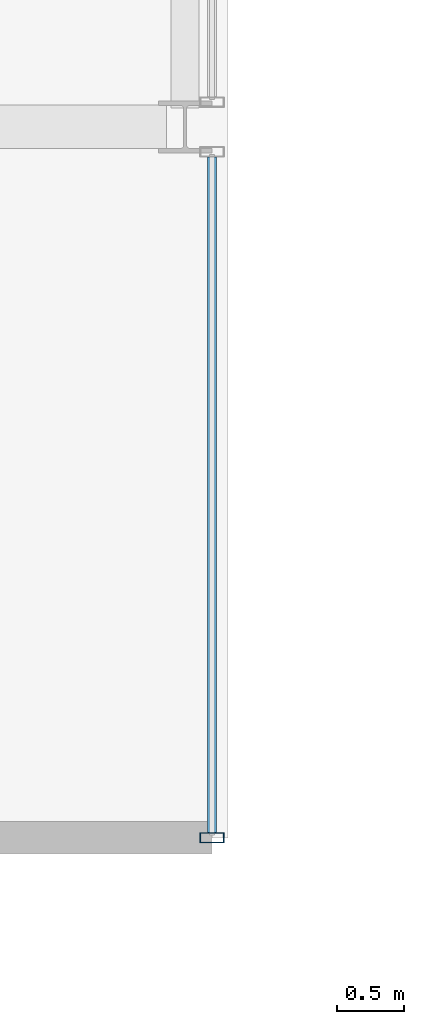
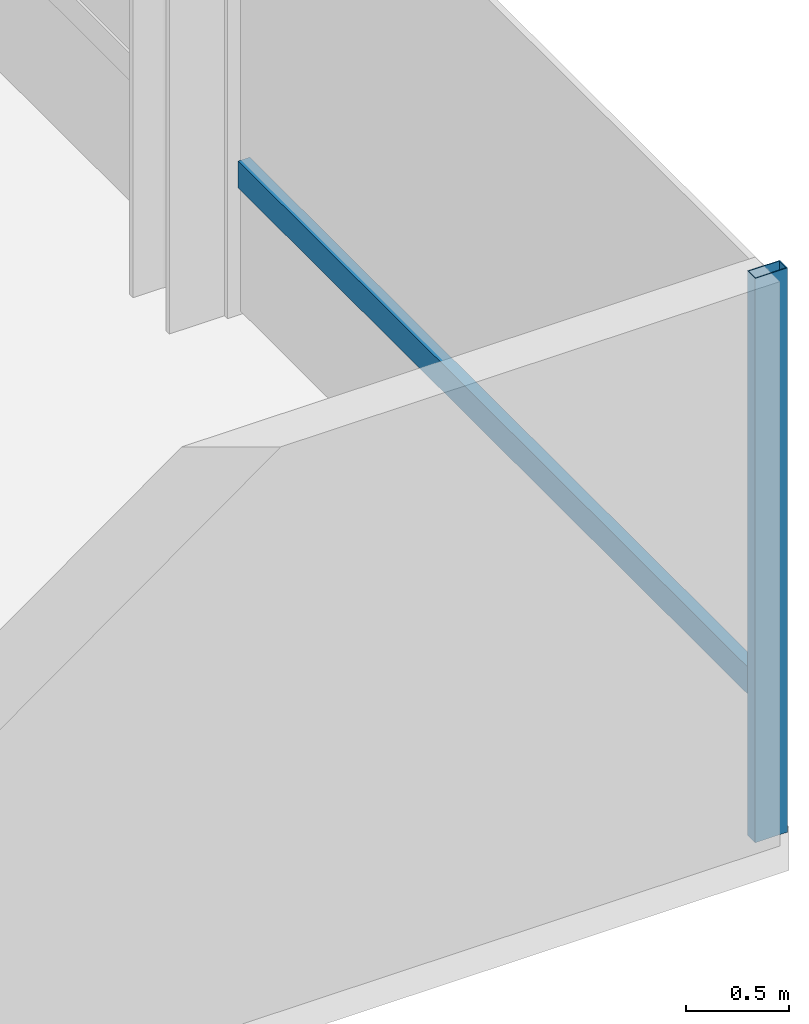
# One storey, part 11 of 32: 2 members, 1 element without a shape of its own.
"""IFC4 building model written with IfcOpenShell, lengths in metres."""

from ifc_helpers import new_model, si_unit, direction, frame, origin, origin_2d, place, context, subcontext, project, spatial, hollow_rectangle, extrude, material, layer, layer_set, material_profile, profile_set, type_object, element, aggregate, save


model = new_model("IFC4")

# Units and contexts
model_context = context("Model", 3, precision=1e-05, world=origin(), true_north=direction((0.0, 1.0)))
body_context = subcontext(model_context, "Body", "Model", "MODEL_VIEW")
ifc_project = project(units=[si_unit("LENGTHUNIT", "METRE"), si_unit("AREAUNIT", "SQUARE_METRE"), si_unit("VOLUMEUNIT", "CUBIC_METRE"), si_unit("PLANEANGLEUNIT", "RADIAN"), si_unit("MASSUNIT", "GRAM", prefix="KILO")], contexts=[model_context])

# Site, building, storey
site_placement = place(None, origin())
site = spatial("IfcSite", under=ifc_project, at=site_placement, CompositionType="ELEMENT")
building_placement = place(site_placement, origin())
building = spatial("IfcBuilding", under=site, at=building_placement, Name="Drelvath Grand Hotel", CompositionType="ELEMENT")
storey_placement = place(building_placement, frame((0.0, 0.0, 205.10009765625)))
storey = spatial("IfcBuildingStorey", under=building, at=storey_placement, Name="L53", CompositionType="ELEMENT", Elevation=205.10009765625)

# Curtain wall, members
ifc_material = material(Name="Platinum-Mist Anodised Aluminium Frame", Category="aluminium")
ifc_layer = layer(ifc_material, 0.199951171875)
ifc_layer_set = layer_set([ifc_layer], Name="Platinum-Mist Anodised Aluminium Frame")
curtain_wall_type = type_object("IfcCurtainWallType", Name="Stick Curtain Wall CW-05 Platinum Mist High-Rise", PredefinedType="NOTDEFINED", material=ifc_layer_set)
curtain_wall_placement = place(storey_placement, origin())
curtain_wall = element("IfcCurtainWall", 1, at=curtain_wall_placement, inside=storey, type_object=curtain_wall_type, Name="L53 CW-05 Curtain Wall CW05-L53-ES1", PredefinedType="NOTDEFINED")
ifc_material_profile_1 = material_profile(ifc_material, hollow_rectangle(XDim=0.06494140625, YDim=0.159912109375, WallThickness=0.00390625, at=origin_2d()), Name="HSS160X65X4")
ifc_profile_set_1 = profile_set([ifc_material_profile_1], Name="Platinum-Mist Anodised Aluminium Frame")
member_type_1 = type_object("IfcMemberType", Name="Curtain Wall Horizontal Transom CW-05 HSS160X65X4", PredefinedType="USERDEFINED", material=ifc_profile_set_1)
member_1_placement = place(storey_placement, frame((22.080078125, 10.57470703125, 0.8349609375), z_axis=(0.0, -1.0, 0.0), x_axis=(1.0, 0.0, 0.0)))
member_1 = element("IfcMember", 2, at=member_1_placement, type_object=member_type_1, Name="CW05-L53-ES1 Sill Transom", ObjectType="TRANSOM", PredefinedType="USERDEFINED", context=body_context, shape_type="SweptSolid", body=[
    extrude(hollow_rectangle(XDim=0.06494140625, YDim=0.159912109375, WallThickness=0.00390625, at=origin_2d()), origin(), (0.0, 0.0, 1.0), 5.03466796875),
])
ifc_material_profile_2 = material_profile(ifc_material, hollow_rectangle(XDim=0.074951171875, YDim=0.179931640625, WallThickness=0.0048828125, at=origin_2d()), Name="HSS180X75X5")
ifc_profile_set_2 = profile_set([ifc_material_profile_2], Name="Platinum-Mist Anodised Aluminium Frame")
member_type_2 = type_object("IfcMemberType", Name="Curtain Wall Vertical Mullion CW-05 HSS180X75X5", PredefinedType="MULLION", material=ifc_profile_set_2)
member_2_placement = place(storey_placement, frame((22.080078125, 5.5, 0.0), z_axis=(0.0, 0.0, 1.0), x_axis=(0.0, 1.0, 0.0)))
member_2 = element("IfcMember", 3, at=member_2_placement, type_object=member_type_2, Name="CW05-L53-ES1 Mullion 2", PredefinedType="MULLION", context=body_context, shape_type="SweptSolid", body=[
    extrude(hollow_rectangle(XDim=0.074951171875, YDim=0.179931640625, WallThickness=0.0048828125, at=origin_2d()), origin(), (0.0, 0.0, 1.0), 3.33984375),
])
aggregate(curtain_wall, [member_2, member_1])

save(model, "model.ifc")
